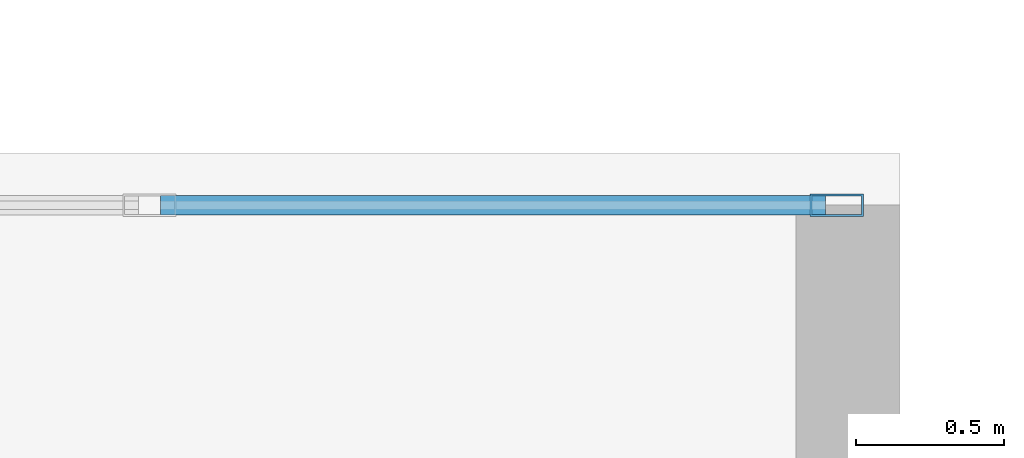
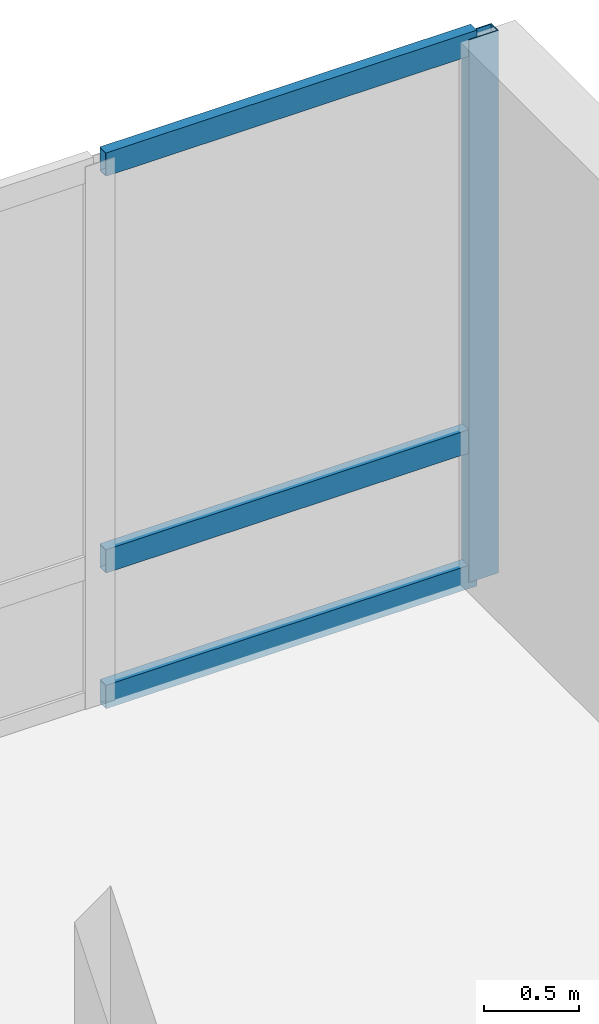
# One storey, part 4 of 15: 4 members, 1 element without a shape of its own.
"""IFC4 building model written with IfcOpenShell, lengths in metres."""

from ifc_helpers import new_model, si_unit, direction, frame, origin, origin_2d, place, context, subcontext, project, spatial, hollow_rectangle, extrude, material, layer, layer_set, material_profile, profile_set, type_object, element, aggregate, save


model = new_model("IFC4")

# Units and contexts
model_context = context("Model", 3, precision=1e-05, world=origin(), true_north=direction((0.0, 1.0)))
body_context = subcontext(model_context, "Body", "Model", "MODEL_VIEW")
ifc_project = project(units=[si_unit("LENGTHUNIT", "METRE"), si_unit("AREAUNIT", "SQUARE_METRE"), si_unit("VOLUMEUNIT", "CUBIC_METRE"), si_unit("PLANEANGLEUNIT", "RADIAN"), si_unit("MASSUNIT", "GRAM", prefix="KILO")], contexts=[model_context])

# Site, building, storey
site_placement = place(None, origin())
site = spatial("IfcSite", under=ifc_project, at=site_placement, CompositionType="ELEMENT")
building_placement = place(site_placement, origin())
building = spatial("IfcBuilding", under=site, at=building_placement, Name="Koriwani Terraces Tower", CompositionType="ELEMENT")
storey_placement = place(building_placement, frame((0.0, 0.0, 282.300048828125)))
storey = spatial("IfcBuildingStorey", under=building, at=storey_placement, Name="L70", CompositionType="ELEMENT", Elevation=282.300048828125)

# Curtain wall, members
ifc_material = material(Name="Anodised Bronze Aluminium", Category="aluminium")
ifc_layer = layer(ifc_material, 0.169921875, Name="Anodised Bronze Aluminium")
ifc_layer_set = layer_set([ifc_layer], Name="Anodised Bronze Aluminium")
curtain_wall_type = type_object("IfcCurtainWallType", Name="CW_RES_ZONE4", PredefinedType="NOTDEFINED", material=ifc_layer_set)
curtain_wall_placement = place(storey_placement, origin())
curtain_wall = element("IfcCurtainWall", 1, at=curtain_wall_placement, inside=storey, type_object=curtain_wall_type, Name="L70 Unitised Curtain Wall (N_TIP) Bay 3", PredefinedType="NOTDEFINED")
ifc_material_profile_1 = material_profile(ifc_material, hollow_rectangle(XDim=0.074951171875, YDim=0.179931640625, WallThickness=0.006103515625, at=origin_2d()), Name="Anodised Bronze Aluminium", Category="LoadBearing")
ifc_profile_set_1 = profile_set([ifc_material_profile_1], Name="Anodised Bronze Aluminium")
member_type_1 = type_object("IfcMemberType", Name="CW_MULLION_180X75", PredefinedType="MULLION", material=ifc_profile_set_1)
member_1_placement = place(storey_placement, frame((30.387451171875, 75.425048828125, 0.0), z_axis=(0.0, 0.0, 1.0), x_axis=(0.0, 1.0, 0.0)))
member_1 = element("IfcMember", 2, at=member_1_placement, type_object=member_type_1, Name="CW-Z4 mullion 3", PredefinedType="MULLION", context=body_context, shape_type="SweptSolid", body=[
    extrude(hollow_rectangle(XDim=0.074951171875, YDim=0.179931640625, WallThickness=0.006103515625, at=origin_2d()), origin(), (0.0, 0.0, 1.0), 3.469970703125),
])
ifc_material_profile_2 = material_profile(ifc_material, hollow_rectangle(XDim=0.06494140625, YDim=0.14990234375, WallThickness=0.0048828125, at=origin_2d()), Name="Anodised Bronze Aluminium", Category="LoadBearing")
ifc_profile_set_2 = profile_set([ifc_material_profile_2], Name="Anodised Bronze Aluminium")
member_type_2 = type_object("IfcMemberType", Name="CW_TRANSOM_150X65", PredefinedType="USERDEFINED", material=ifc_profile_set_2)
member_2_placement = place(storey_placement, frame((28.10498046875, 75.425048828125, 0.032470703125), z_axis=(1.0, 0.0, 0.0), x_axis=(0.0, 1.0, 0.0)))
member_2 = element("IfcMember", 3, at=member_2_placement, type_object=member_type_2, Name="CW-Z4 transom 2.1", ObjectType="TRANSOM", PredefinedType="USERDEFINED", context=body_context, shape_type="SweptSolid", body=[
    extrude(hollow_rectangle(XDim=0.06494140625, YDim=0.14990234375, WallThickness=0.0048828125, at=origin_2d()), origin(), (0.0, 0.0, 1.0), 2.2451171875),
])
member_3_placement = place(storey_placement, frame((28.10498046875, 75.425048828125, 0.89990234375), z_axis=(1.0, 0.0, 0.0), x_axis=(0.0, 1.0, 0.0)))
member_3 = element("IfcMember", 4, at=member_3_placement, type_object=member_type_2, Name="CW-Z4 transom 2.2", ObjectType="TRANSOM", PredefinedType="USERDEFINED", context=body_context, shape_type="SweptSolid", body=[
    extrude(hollow_rectangle(XDim=0.06494140625, YDim=0.14990234375, WallThickness=0.0048828125, at=origin_2d()), origin(), (0.0, 0.0, 1.0), 2.2451171875),
])
member_4_placement = place(storey_placement, frame((28.10498046875, 75.425048828125, 3.4375), z_axis=(1.0, 0.0, 0.0), x_axis=(0.0, 1.0, 0.0)))
member_4 = element("IfcMember", 5, at=member_4_placement, type_object=member_type_2, Name="CW-Z4 transom 2.3", ObjectType="TRANSOM", PredefinedType="USERDEFINED", context=body_context, shape_type="SweptSolid", body=[
    extrude(hollow_rectangle(XDim=0.06494140625, YDim=0.14990234375, WallThickness=0.0048828125, at=origin_2d()), origin(), (0.0, 0.0, 1.0), 2.2451171875),
])
aggregate(curtain_wall, [member_1, member_2, member_3, member_4])

save(model, "model.ifc")
